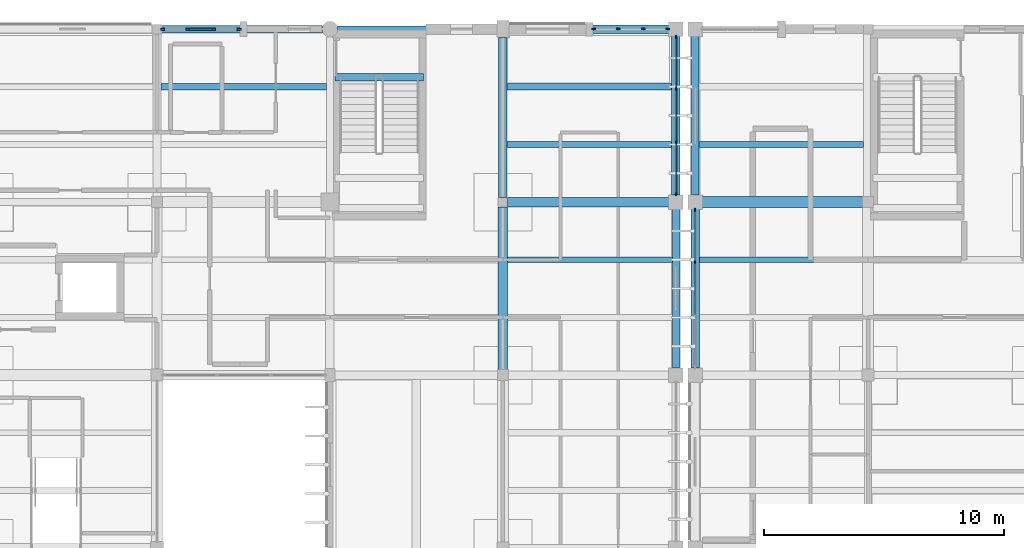
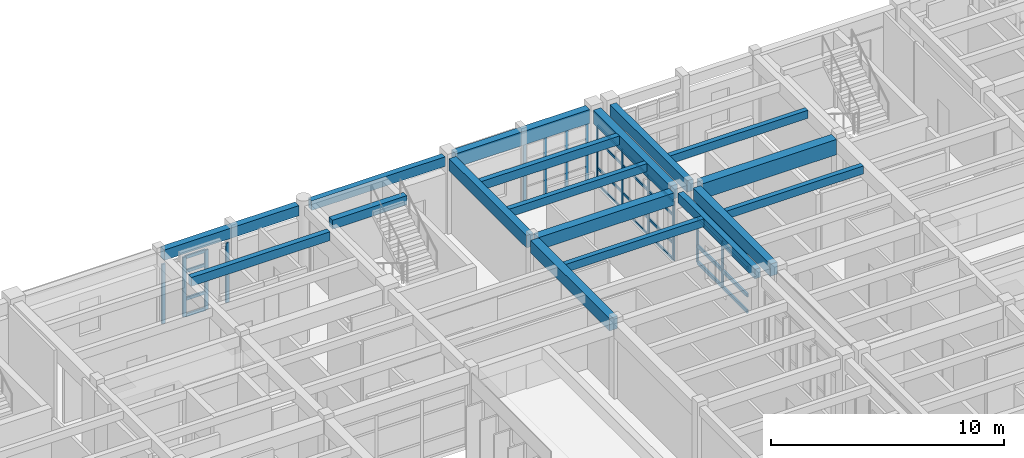
# One storey, part 34 of 100: 38 members, 18 beams, 4 elements without a shape of their own.
"""IFC4 building model written with IfcOpenShell, lengths in metres."""

from ifc_helpers import new_model, si_unit, direction, frame, origin, origin_2d, place, context, subcontext, project, spatial, rectangle, extrude, material, material_profile, profile_set, type_object, element, aggregate, save


model = new_model("IFC4")

# Units and contexts
model_context = context("Model", 3, precision=1e-05, world=origin(), true_north=direction((0.0, 1.0)))
body_context = subcontext(model_context, "Body", "Model", "MODEL_VIEW")
ifc_project = project(units=[si_unit("LENGTHUNIT", "METRE"), si_unit("AREAUNIT", "SQUARE_METRE"), si_unit("VOLUMEUNIT", "CUBIC_METRE"), si_unit("PLANEANGLEUNIT", "RADIAN"), si_unit("MASSUNIT", "GRAM", prefix="KILO")], contexts=[model_context])

# Site, building, storey
site_placement = place(None, origin())
site = spatial("IfcSite", under=ifc_project, at=site_placement, CompositionType="ELEMENT")
building_placement = place(site_placement, origin())
building = spatial("IfcBuilding", under=site, at=building_placement, Name="Steenspoor Specialist Clinic", CompositionType="ELEMENT")
storey_placement = place(building_placement, frame((0.0, 0.0, 9.0)))
storey = spatial("IfcBuildingStorey", under=building, at=storey_placement, Name="L02", CompositionType="ELEMENT", Elevation=9.0)

# Beams
ifc_material_1 = material(Name="Concrete C35/45", Category="concrete")
ifc_material_profile_1 = material_profile(ifc_material_1, rectangle(XDim=0.300048828125, YDim=0.47998046875, at=origin_2d()), Name="RC-BM-300X480")
ifc_profile_set_1 = profile_set([ifc_material_profile_1], Name="Concrete C35/45")
beam_type_1 = type_object("IfcBeamType", Name="BM-RC-300X480", PredefinedType="BEAM", material=ifc_profile_set_1)
beam_1_placement = place(storey_placement, frame((103.0, 106.35009765625, 3.9599609375), z_axis=(1.0, 0.0, 0.0), x_axis=(0.0, 1.0, 0.0)))
element("IfcBeam", 1, at=beam_1_placement, inside=storey, type_object=beam_type_1, Name="Stair Well Trimmer Beam ST-V4B L02", PredefinedType="BEAM", context=body_context, shape_type="SweptSolid", body=[
    extrude(rectangle(XDim=0.300048828125, YDim=0.47998046875, at=origin_2d()), origin(), (0.0, 0.0, 1.0), 3.699951171875),
])
ifc_material_profile_2 = material_profile(ifc_material_1, rectangle(XDim=0.35009765625, YDim=0.64990234375, at=origin_2d()), Name="RC-BM-350X650")
ifc_profile_set_2 = profile_set([ifc_material_profile_2], Name="Concrete C35/45")
beam_type_2 = type_object("IfcBeamType", Name="BM-RC-350X650", PredefinedType="BEAM", material=ifc_profile_set_2)
beam_2_placement = place(storey_placement, frame((110.0, 101.344970703125, 3.625), z_axis=(0.0, 1.0, 0.0), x_axis=(-1.0, 0.0, 0.0)))
element("IfcBeam", 2, at=beam_2_placement, inside=storey, type_object=beam_type_2, Name="BM-V4-L02-Y0730", PredefinedType="BEAM", context=body_context, shape_type="SweptSolid", body=[
    extrude(rectangle(XDim=0.35009765625, YDim=0.64990234375, at=origin_2d()), origin(), (0.0, 0.0, 1.0), 6.659912109375),
])
ifc_material_profile_3 = material_profile(ifc_material_1, rectangle(XDim=0.39990234375, YDim=0.64990234375, at=origin_2d()), Name="RC-BM-400X650")
ifc_profile_set_3 = profile_set([ifc_material_profile_3], Name="Concrete C35/45")
beam_type_3 = type_object("IfcBeamType", Name="BM-RC-400X650", PredefinedType="BEAM", material=ifc_profile_set_3)
beam_3_placement = place(storey_placement, frame((110.195068359375, 101.14990234375, 3.625), z_axis=(1.0, 0.0, 0.0), x_axis=(0.0, 1.0, 0.0)))
element("IfcBeam", 3, at=beam_3_placement, inside=storey, type_object=beam_type_3, Name="BM-V4-L02-X0675", PredefinedType="BEAM", context=body_context, shape_type="SweptSolid", body=[
    extrude(rectangle(XDim=0.39990234375, YDim=0.64990234375, at=origin_2d()), origin(), (0.0, 0.0, 1.0), 6.7099609375),
])
beam_4_placement = place(storey_placement, frame((110.0, 94.169921875, 3.625), z_axis=(0.0, 1.0, 0.0), x_axis=(-1.0, 0.0, 0.0)))
element("IfcBeam", 4, at=beam_4_placement, inside=storey, type_object=beam_type_3, Name="BM-V4-L02-Y0729", PredefinedType="BEAM", context=body_context, shape_type="SweptSolid", body=[
    extrude(rectangle(XDim=0.39990234375, YDim=0.64990234375, at=origin_2d()), origin(), (0.0, 0.0, 1.0), 6.78515625),
])
ifc_material_profile_4 = material_profile(ifc_material_1, rectangle(XDim=0.449951171875, YDim=0.800048828125, at=origin_2d()), Name="RC-BM-450X800")
ifc_profile_set_4 = profile_set([ifc_material_profile_4], Name="Concrete C35/45")
beam_type_4 = type_object("IfcBeamType", Name="BM-RC-450X800", PredefinedType="BEAM", material=ifc_profile_set_4)
beam_5_placement = place(storey_placement, frame((118.294921875, 101.14990234375, 3.550048828125), z_axis=(1.0, 0.0, 0.0), x_axis=(0.0, 1.0, 0.0)))
element("IfcBeam", 5, at=beam_5_placement, inside=storey, type_object=beam_type_4, Name="BM-V6-L02-X1620", PredefinedType="BEAM", context=body_context, shape_type="SweptSolid", body=[
    extrude(rectangle(XDim=0.449951171875, YDim=0.800048828125, at=origin_2d()), origin(), (0.0, 0.0, 1.0), 6.68505859375),
])

# Curtain wall, members
ifc_material_2 = material(Name="Thermally broken aluminium and low-emissivity glass", Category="aluminium")
curtain_wall_type_1 = type_object("IfcCurtainWallType", Name="CW-TYP-300X355", PredefinedType="USERDEFINED", material=ifc_material_2)
curtain_wall_1_placement = place(storey_placement, origin())
curtain_wall_1 = element("IfcCurtainWall", 6, at=curtain_wall_1_placement, inside=storey, type_object=curtain_wall_type_1, Name="Unitised Curtain Wall CW-V4-L02-087", ObjectType="UNITISED GLAZING", PredefinedType="USERDEFINED")
ifc_material_3 = material(Name="Thermally broken aluminium 6063-T6", Category="aluminium")
ifc_material_profile_5 = material_profile(ifc_material_3, rectangle(XDim=0.06494140625, YDim=0.14990234375, at=origin_2d()), Name="CWM-65X150")
ifc_profile_set_5 = profile_set([ifc_material_profile_5], Name="Thermally broken aluminium 6063-T6")
member_type_1 = type_object("IfcMemberType", Name="CW-MULL-65X150", PredefinedType="MULLION", material=ifc_profile_set_5)
member_1_placement = place(storey_placement, frame((117.199951171875, 108.017578125, 0.0), z_axis=(0.0, 0.0, 1.0), x_axis=(1.0, 0.0, 0.0)))
member_1 = element("IfcMember", 7, at=member_1_placement, type_object=member_type_1, Name="CW-15 mullion 1", PredefinedType="MULLION", context=body_context, shape_type="SweptSolid", body=[
    extrude(rectangle(XDim=0.06494140625, YDim=0.14990234375, at=origin_2d()), origin(), (0.0, 0.0, 1.0), 3.1298828125),
])
member_2_placement = place(storey_placement, frame((117.199951171875, 105.85009765625, 0.0), z_axis=(0.0, 0.0, 1.0), x_axis=(1.0, 0.0, 0.0)))
member_2 = element("IfcMember", 8, at=member_2_placement, type_object=member_type_1, Name="CW-15 mullion 2", PredefinedType="MULLION", context=body_context, shape_type="SweptSolid", body=[
    extrude(rectangle(XDim=0.06494140625, YDim=0.14990234375, at=origin_2d()), origin(), (0.0, 0.0, 1.0), 3.1298828125),
])
member_3_placement = place(storey_placement, frame((117.199951171875, 103.64990234375, 0.0), z_axis=(0.0, 0.0, 1.0), x_axis=(1.0, 0.0, 0.0)))
member_3 = element("IfcMember", 9, at=member_3_placement, type_object=member_type_1, Name="CW-15 mullion 3", PredefinedType="MULLION", context=body_context, shape_type="SweptSolid", body=[
    extrude(rectangle(XDim=0.06494140625, YDim=0.14990234375, at=origin_2d()), origin(), (0.0, 0.0, 1.0), 3.1298828125),
])
member_4_placement = place(storey_placement, frame((117.199951171875, 101.482421875, 0.0), z_axis=(0.0, 0.0, 1.0), x_axis=(1.0, 0.0, 0.0)))
member_4 = element("IfcMember", 10, at=member_4_placement, type_object=member_type_1, Name="CW-15 mullion 4", PredefinedType="MULLION", context=body_context, shape_type="SweptSolid", body=[
    extrude(rectangle(XDim=0.06494140625, YDim=0.14990234375, at=origin_2d()), origin(), (0.0, 0.0, 1.0), 3.1298828125),
])

curtain_wall_type_2 = type_object("IfcCurtainWallType", Name="CW-WLK-520X340", PredefinedType="USERDEFINED", material=ifc_material_2)
curtain_wall_2_placement = place(storey_placement, origin())
curtain_wall_2 = element("IfcCurtainWall", 11, at=curtain_wall_2_placement, inside=storey, type_object=curtain_wall_type_2, Name="Unitised Curtain Wall CW-V6-L02-189", ObjectType="UNITISED GLAZING", PredefinedType="USERDEFINED")
member_5_placement = place(storey_placement, frame((118.0, 98.64990234375, 0.0), z_axis=(0.0, 0.0, 1.0), x_axis=(-1.0, 0.0, 0.0)))
member_5 = element("IfcMember", 12, at=member_5_placement, type_object=member_type_1, Name="CW-21 mullion 3", PredefinedType="MULLION", context=body_context, shape_type="SweptSolid", body=[
    extrude(rectangle(XDim=0.06494140625, YDim=0.14990234375, at=origin_2d()), origin(), (0.0, 0.0, 1.0), 3.1298828125),
])
member_6_placement = place(storey_placement, frame((118.0, 100.8173828125, 0.0), z_axis=(0.0, 0.0, 1.0), x_axis=(-1.0, 0.0, 0.0)))
member_6 = element("IfcMember", 13, at=member_6_placement, type_object=member_type_1, Name="CW-21 mullion 4", PredefinedType="MULLION", context=body_context, shape_type="SweptSolid", body=[
    extrude(rectangle(XDim=0.06494140625, YDim=0.14990234375, at=origin_2d()), origin(), (0.0, 0.0, 1.0), 3.1298828125),
])

curtain_wall_type_3 = type_object("IfcCurtainWallType", Name="CW-TYP-360X355", PredefinedType="USERDEFINED", material=ifc_material_2)
curtain_wall_3_placement = place(storey_placement, origin())
curtain_wall_3 = element("IfcCurtainWall", 14, at=curtain_wall_3_placement, inside=storey, type_object=curtain_wall_type_3, Name="Unitised Curtain Wall CW-V4-L02-086", ObjectType="UNITISED GLAZING", PredefinedType="USERDEFINED")
ifc_material_profile_6 = material_profile(ifc_material_3, rectangle(XDim=0.070068359375, YDim=0.1650390625, at=origin_2d()), Name="CWM-70X165")
ifc_profile_set_6 = profile_set([ifc_material_profile_6], Name="Thermally broken aluminium 6063-T6")
member_type_2 = type_object("IfcMemberType", Name="CW-MULL-70X165", PredefinedType="MULLION", material=ifc_profile_set_6)
member_7_placement = place(storey_placement, frame((113.77490234375, 108.35009765625, 0.0), z_axis=(0.0, 0.0, 1.0), x_axis=(0.0, 1.0, 0.0)))
member_7 = element("IfcMember", 15, at=member_7_placement, type_object=member_type_2, Name="CW-14 mullion 1", PredefinedType="MULLION", context=body_context, shape_type="SweptSolid", body=[
    extrude(rectangle(XDim=0.070068359375, YDim=0.1650390625, at=origin_2d()), origin(), (0.0, 0.0, 1.0), 3.1298828125),
])
member_8_placement = place(storey_placement, frame((114.793212890625, 108.35009765625, 0.0), z_axis=(0.0, 0.0, 1.0), x_axis=(0.0, 1.0, 0.0)))
member_8 = element("IfcMember", 16, at=member_8_placement, type_object=member_type_2, Name="CW-14 mullion 2", PredefinedType="MULLION", context=body_context, shape_type="SweptSolid", body=[
    extrude(rectangle(XDim=0.070068359375, YDim=0.1650390625, at=origin_2d()), origin(), (0.0, 0.0, 1.0), 3.1298828125),
])
member_9_placement = place(storey_placement, frame((115.8466796875, 108.35009765625, 0.0), z_axis=(0.0, 0.0, 1.0), x_axis=(0.0, 1.0, 0.0)))
member_9 = element("IfcMember", 17, at=member_9_placement, type_object=member_type_2, Name="CW-14 mullion 3", PredefinedType="MULLION", context=body_context, shape_type="SweptSolid", body=[
    extrude(rectangle(XDim=0.070068359375, YDim=0.1650390625, at=origin_2d()), origin(), (0.0, 0.0, 1.0), 3.1298828125),
])
member_10_placement = place(storey_placement, frame((116.864990234375, 108.35009765625, 0.0), z_axis=(0.0, 0.0, 1.0), x_axis=(0.0, 1.0, 0.0)))
member_10 = element("IfcMember", 18, at=member_10_placement, type_object=member_type_2, Name="CW-14 mullion 4", PredefinedType="MULLION", context=body_context, shape_type="SweptSolid", body=[
    extrude(rectangle(XDim=0.070068359375, YDim=0.1650390625, at=origin_2d()), origin(), (0.0, 0.0, 1.0), 3.1298828125),
])
aggregate(curtain_wall_3, [member_7, member_8, member_9, member_10])

curtain_wall_type_4 = type_object("IfcCurtainWallType", Name="CW-TYP-420X355", PredefinedType="USERDEFINED", material=ifc_material_2)
curtain_wall_4_placement = place(storey_placement, origin())
curtain_wall_4 = element("IfcCurtainWall", 19, at=curtain_wall_4_placement, inside=storey, type_object=curtain_wall_type_4, Name="Unitised Curtain Wall CW-V4-L02-085", ObjectType="UNITISED GLAZING", PredefinedType="USERDEFINED")
ifc_material_profile_7 = material_profile(ifc_material_3, rectangle(XDim=0.080078125, YDim=0.179931640625, at=origin_2d()), Name="CWM-80X180")
ifc_profile_set_7 = profile_set([ifc_material_profile_7], Name="Thermally broken aluminium 6063-T6")
member_type_3 = type_object("IfcMemberType", Name="CW-MULL-80X180", PredefinedType="MULLION", material=ifc_profile_set_7)
member_11_placement = place(storey_placement, frame((95.840087890625, 108.35009765625, 0.0), z_axis=(0.0, 0.0, 1.0), x_axis=(0.0, 1.0, 0.0)))
member_11 = element("IfcMember", 20, at=member_11_placement, type_object=member_type_3, Name="CW-13 mullion 1", PredefinedType="MULLION", context=body_context, shape_type="SweptSolid", body=[
    extrude(rectangle(XDim=0.080078125, YDim=0.179931640625, at=origin_2d()), origin(), (0.0, 0.0, 1.0), 3.1298828125),
])
member_12_placement = place(storey_placement, frame((96.88330078125, 108.35009765625, 0.0), z_axis=(0.0, 0.0, 1.0), x_axis=(0.0, 1.0, 0.0)))
member_12 = element("IfcMember", 21, at=member_12_placement, type_object=member_type_3, Name="CW-13 mullion 2", PredefinedType="MULLION", context=body_context, shape_type="SweptSolid", body=[
    extrude(rectangle(XDim=0.080078125, YDim=0.179931640625, at=origin_2d()), origin(), (0.0, 0.0, 1.0), 3.1298828125),
])
member_13_placement = place(storey_placement, frame((97.966552734375, 108.35009765625, 0.0), z_axis=(0.0, 0.0, 1.0), x_axis=(0.0, 1.0, 0.0)))
member_13 = element("IfcMember", 22, at=member_13_placement, type_object=member_type_3, Name="CW-13 mullion 3", PredefinedType="MULLION", context=body_context, shape_type="SweptSolid", body=[
    extrude(rectangle(XDim=0.080078125, YDim=0.179931640625, at=origin_2d()), origin(), (0.0, 0.0, 1.0), 3.1298828125),
])
member_14_placement = place(storey_placement, frame((99.010009765625, 108.35009765625, 0.0), z_axis=(0.0, 0.0, 1.0), x_axis=(0.0, 1.0, 0.0)))
member_14 = element("IfcMember", 23, at=member_14_placement, type_object=member_type_3, Name="CW-13 mullion 4", PredefinedType="MULLION", context=body_context, shape_type="SweptSolid", body=[
    extrude(rectangle(XDim=0.080078125, YDim=0.179931640625, at=origin_2d()), origin(), (0.0, 0.0, 1.0), 3.1298828125),
])

# Member
ifc_material_profile_8 = material_profile(ifc_material_3, rectangle(XDim=0.06494140625, YDim=0.1298828125, at=origin_2d()), Name="CWT-65X130")
ifc_profile_set_8 = profile_set([ifc_material_profile_8], Name="Thermally broken aluminium 6063-T6")
member_type_4 = type_object("IfcMemberType", Name="CW-TRAN-65X130", PredefinedType="USERDEFINED", material=ifc_profile_set_8)
member_15_placement = place(storey_placement, frame((117.199951171875, 107.985107421875, 0.032470703125), z_axis=(0.0, -1.0, 0.0), x_axis=(1.0, 0.0, 0.0)))
member_15 = element("IfcMember", 24, at=member_15_placement, type_object=member_type_4, Name="CW-15 transom 1.1", ObjectType="TRANSOM", PredefinedType="USERDEFINED", context=body_context, shape_type="SweptSolid", body=[
    extrude(rectangle(XDim=0.06494140625, YDim=0.1298828125, at=origin_2d()), origin(), (0.0, 0.0, 1.0), 2.1025390625),
])

member_16_placement = place(storey_placement, frame((117.199951171875, 107.985107421875, 0.89990234375), z_axis=(0.0, -1.0, 0.0), x_axis=(1.0, 0.0, 0.0)))
member_16 = element("IfcMember", 25, at=member_16_placement, type_object=member_type_4, Name="CW-15 transom 1.2", ObjectType="TRANSOM", PredefinedType="USERDEFINED", context=body_context, shape_type="SweptSolid", body=[
    extrude(rectangle(XDim=0.06494140625, YDim=0.1298828125, at=origin_2d()), origin(), (0.0, 0.0, 1.0), 2.1025390625),
])

member_17_placement = place(storey_placement, frame((117.199951171875, 107.985107421875, 2.35009765625), z_axis=(0.0, -1.0, 0.0), x_axis=(1.0, 0.0, 0.0)))
member_17 = element("IfcMember", 26, at=member_17_placement, type_object=member_type_4, Name="CW-15 transom 1.3", ObjectType="TRANSOM", PredefinedType="USERDEFINED", context=body_context, shape_type="SweptSolid", body=[
    extrude(rectangle(XDim=0.06494140625, YDim=0.1298828125, at=origin_2d()), origin(), (0.0, 0.0, 1.0), 2.1025390625),
])

member_18_placement = place(storey_placement, frame((117.199951171875, 107.985107421875, 3.097412109375), z_axis=(0.0, -1.0, 0.0), x_axis=(1.0, 0.0, 0.0)))
member_18 = element("IfcMember", 27, at=member_18_placement, type_object=member_type_4, Name="CW-15 transom 1.4", ObjectType="TRANSOM", PredefinedType="USERDEFINED", context=body_context, shape_type="SweptSolid", body=[
    extrude(rectangle(XDim=0.06494140625, YDim=0.1298828125, at=origin_2d()), origin(), (0.0, 0.0, 1.0), 2.1025390625),
])

member_19_placement = place(storey_placement, frame((117.199951171875, 105.8173828125, 0.032470703125), z_axis=(0.0, -1.0, 0.0), x_axis=(1.0, 0.0, 0.0)))
member_19 = element("IfcMember", 28, at=member_19_placement, type_object=member_type_4, Name="CW-15 transom 2.1", ObjectType="TRANSOM", PredefinedType="USERDEFINED", context=body_context, shape_type="SweptSolid", body=[
    extrude(rectangle(XDim=0.06494140625, YDim=0.1298828125, at=origin_2d()), origin(), (0.0, 0.0, 1.0), 2.134765625),
])

member_20_placement = place(storey_placement, frame((117.199951171875, 105.8173828125, 0.89990234375), z_axis=(0.0, -1.0, 0.0), x_axis=(1.0, 0.0, 0.0)))
member_20 = element("IfcMember", 29, at=member_20_placement, type_object=member_type_4, Name="CW-15 transom 2.2", ObjectType="TRANSOM", PredefinedType="USERDEFINED", context=body_context, shape_type="SweptSolid", body=[
    extrude(rectangle(XDim=0.06494140625, YDim=0.1298828125, at=origin_2d()), origin(), (0.0, 0.0, 1.0), 2.134765625),
])

member_21_placement = place(storey_placement, frame((117.199951171875, 105.8173828125, 2.35009765625), z_axis=(0.0, -1.0, 0.0), x_axis=(1.0, 0.0, 0.0)))
member_21 = element("IfcMember", 30, at=member_21_placement, type_object=member_type_4, Name="CW-15 transom 2.3", ObjectType="TRANSOM", PredefinedType="USERDEFINED", context=body_context, shape_type="SweptSolid", body=[
    extrude(rectangle(XDim=0.06494140625, YDim=0.1298828125, at=origin_2d()), origin(), (0.0, 0.0, 1.0), 2.134765625),
])

member_22_placement = place(storey_placement, frame((117.199951171875, 105.8173828125, 3.097412109375), z_axis=(0.0, -1.0, 0.0), x_axis=(1.0, 0.0, 0.0)))
member_22 = element("IfcMember", 31, at=member_22_placement, type_object=member_type_4, Name="CW-15 transom 2.4", ObjectType="TRANSOM", PredefinedType="USERDEFINED", context=body_context, shape_type="SweptSolid", body=[
    extrude(rectangle(XDim=0.06494140625, YDim=0.1298828125, at=origin_2d()), origin(), (0.0, 0.0, 1.0), 2.134765625),
])

member_23_placement = place(storey_placement, frame((117.199951171875, 103.617431640625, 0.032470703125), z_axis=(0.0, -1.0, 0.0), x_axis=(1.0, 0.0, 0.0)))
member_23 = element("IfcMember", 32, at=member_23_placement, type_object=member_type_4, Name="CW-15 transom 3.1", ObjectType="TRANSOM", PredefinedType="USERDEFINED", context=body_context, shape_type="SweptSolid", body=[
    extrude(rectangle(XDim=0.06494140625, YDim=0.1298828125, at=origin_2d()), origin(), (0.0, 0.0, 1.0), 2.1025390625),
])

member_24_placement = place(storey_placement, frame((117.199951171875, 103.617431640625, 0.89990234375), z_axis=(0.0, -1.0, 0.0), x_axis=(1.0, 0.0, 0.0)))
member_24 = element("IfcMember", 33, at=member_24_placement, type_object=member_type_4, Name="CW-15 transom 3.2", ObjectType="TRANSOM", PredefinedType="USERDEFINED", context=body_context, shape_type="SweptSolid", body=[
    extrude(rectangle(XDim=0.06494140625, YDim=0.1298828125, at=origin_2d()), origin(), (0.0, 0.0, 1.0), 2.1025390625),
])

member_25_placement = place(storey_placement, frame((117.199951171875, 103.617431640625, 2.35009765625), z_axis=(0.0, -1.0, 0.0), x_axis=(1.0, 0.0, 0.0)))
member_25 = element("IfcMember", 34, at=member_25_placement, type_object=member_type_4, Name="CW-15 transom 3.3", ObjectType="TRANSOM", PredefinedType="USERDEFINED", context=body_context, shape_type="SweptSolid", body=[
    extrude(rectangle(XDim=0.06494140625, YDim=0.1298828125, at=origin_2d()), origin(), (0.0, 0.0, 1.0), 2.1025390625),
])

member_26_placement = place(storey_placement, frame((117.199951171875, 103.617431640625, 3.097412109375), z_axis=(0.0, -1.0, 0.0), x_axis=(1.0, 0.0, 0.0)))
member_26 = element("IfcMember", 35, at=member_26_placement, type_object=member_type_4, Name="CW-15 transom 3.4", ObjectType="TRANSOM", PredefinedType="USERDEFINED", context=body_context, shape_type="SweptSolid", body=[
    extrude(rectangle(XDim=0.06494140625, YDim=0.1298828125, at=origin_2d()), origin(), (0.0, 0.0, 1.0), 2.1025390625),
])

aggregate(curtain_wall_1, [member_1, member_2, member_3, member_4, member_15, member_16, member_17, member_18, member_19, member_20, member_21, member_22, member_23, member_24, member_25, member_26])

ifc_material_profile_9 = material_profile(ifc_material_3, rectangle(XDim=0.080078125, YDim=0.159912109375, at=origin_2d()), Name="CWT-80X160")
ifc_profile_set_9 = profile_set([ifc_material_profile_9], Name="Thermally broken aluminium 6063-T6")
member_type_5 = type_object("IfcMemberType", Name="CW-TRAN-80X160", PredefinedType="USERDEFINED", material=ifc_profile_set_9)
member_27_placement = place(storey_placement, frame((96.92333984375, 108.35009765625, 0.0400390625), z_axis=(1.0, 0.0, 0.0), x_axis=(0.0, 1.0, 0.0)))
member_27 = element("IfcMember", 36, at=member_27_placement, type_object=member_type_5, Name="CW-13 transom 2.1", ObjectType="TRANSOM", PredefinedType="USERDEFINED", context=body_context, shape_type="SweptSolid", body=[
    extrude(rectangle(XDim=0.080078125, YDim=0.159912109375, at=origin_2d()), origin(), (0.0, 0.0, 1.0), 1.00341796875),
])

member_28_placement = place(storey_placement, frame((96.92333984375, 108.35009765625, 0.89990234375), z_axis=(1.0, 0.0, 0.0), x_axis=(0.0, 1.0, 0.0)))
member_28 = element("IfcMember", 37, at=member_28_placement, type_object=member_type_5, Name="CW-13 transom 2.2", ObjectType="TRANSOM", PredefinedType="USERDEFINED", context=body_context, shape_type="SweptSolid", body=[
    extrude(rectangle(XDim=0.080078125, YDim=0.159912109375, at=origin_2d()), origin(), (0.0, 0.0, 1.0), 1.00341796875),
])

member_29_placement = place(storey_placement, frame((96.92333984375, 108.35009765625, 2.35009765625), z_axis=(1.0, 0.0, 0.0), x_axis=(0.0, 1.0, 0.0)))
member_29 = element("IfcMember", 38, at=member_29_placement, type_object=member_type_5, Name="CW-13 transom 2.3", ObjectType="TRANSOM", PredefinedType="USERDEFINED", context=body_context, shape_type="SweptSolid", body=[
    extrude(rectangle(XDim=0.080078125, YDim=0.159912109375, at=origin_2d()), origin(), (0.0, 0.0, 1.0), 1.00341796875),
])

member_30_placement = place(storey_placement, frame((96.92333984375, 108.35009765625, 3.090087890625), z_axis=(1.0, 0.0, 0.0), x_axis=(0.0, 1.0, 0.0)))
member_30 = element("IfcMember", 39, at=member_30_placement, type_object=member_type_5, Name="CW-13 transom 2.4", ObjectType="TRANSOM", PredefinedType="USERDEFINED", context=body_context, shape_type="SweptSolid", body=[
    extrude(rectangle(XDim=0.080078125, YDim=0.159912109375, at=origin_2d()), origin(), (0.0, 0.0, 1.0), 1.00341796875),
])

aggregate(curtain_wall_4, [member_11, member_12, member_13, member_14, member_27, member_28, member_29, member_30])

ifc_material_profile_10 = material_profile(ifc_material_3, rectangle(XDim=0.090087890625, YDim=0.175048828125, at=origin_2d()), Name="CWT-90X175")
ifc_profile_set_10 = profile_set([ifc_material_profile_10], Name="Thermally broken aluminium 6063-T6")
member_type_6 = type_object("IfcMemberType", Name="CW-TRAN-90X175", PredefinedType="USERDEFINED", material=ifc_profile_set_10)
member_31_placement = place(storey_placement, frame((118.0, 96.482421875, 0.044921875), z_axis=(0.0, 1.0, 0.0), x_axis=(-1.0, 0.0, 0.0)))
member_31 = element("IfcMember", 40, at=member_31_placement, type_object=member_type_6, Name="CW-21 transom 2.1", ObjectType="TRANSOM", PredefinedType="USERDEFINED", context=body_context, shape_type="SweptSolid", body=[
    extrude(rectangle(XDim=0.090087890625, YDim=0.175048828125, at=origin_2d()), origin(), (0.0, 0.0, 1.0), 2.135009765625),
])

member_32_placement = place(storey_placement, frame((118.0, 96.482421875, 0.89990234375), z_axis=(0.0, 1.0, 0.0), x_axis=(-1.0, 0.0, 0.0)))
member_32 = element("IfcMember", 41, at=member_32_placement, type_object=member_type_6, Name="CW-21 transom 2.2", ObjectType="TRANSOM", PredefinedType="USERDEFINED", context=body_context, shape_type="SweptSolid", body=[
    extrude(rectangle(XDim=0.090087890625, YDim=0.175048828125, at=origin_2d()), origin(), (0.0, 0.0, 1.0), 2.135009765625),
])

member_33_placement = place(storey_placement, frame((118.0, 96.482421875, 2.35009765625), z_axis=(0.0, 1.0, 0.0), x_axis=(-1.0, 0.0, 0.0)))
member_33 = element("IfcMember", 42, at=member_33_placement, type_object=member_type_6, Name="CW-21 transom 2.3", ObjectType="TRANSOM", PredefinedType="USERDEFINED", context=body_context, shape_type="SweptSolid", body=[
    extrude(rectangle(XDim=0.090087890625, YDim=0.175048828125, at=origin_2d()), origin(), (0.0, 0.0, 1.0), 2.135009765625),
])

member_34_placement = place(storey_placement, frame((118.0, 96.482421875, 3.0849609375), z_axis=(0.0, 1.0, 0.0), x_axis=(-1.0, 0.0, 0.0)))
member_34 = element("IfcMember", 43, at=member_34_placement, type_object=member_type_6, Name="CW-21 transom 2.4", ObjectType="TRANSOM", PredefinedType="USERDEFINED", context=body_context, shape_type="SweptSolid", body=[
    extrude(rectangle(XDim=0.090087890625, YDim=0.175048828125, at=origin_2d()), origin(), (0.0, 0.0, 1.0), 2.135009765625),
])

member_35_placement = place(storey_placement, frame((118.0, 98.6826171875, 0.044921875), z_axis=(0.0, 1.0, 0.0), x_axis=(-1.0, 0.0, 0.0)))
member_35 = element("IfcMember", 44, at=member_35_placement, type_object=member_type_6, Name="CW-21 transom 3.1", ObjectType="TRANSOM", PredefinedType="USERDEFINED", context=body_context, shape_type="SweptSolid", body=[
    extrude(rectangle(XDim=0.090087890625, YDim=0.175048828125, at=origin_2d()), origin(), (0.0, 0.0, 1.0), 2.102294921875),
])

member_36_placement = place(storey_placement, frame((118.0, 98.6826171875, 0.89990234375), z_axis=(0.0, 1.0, 0.0), x_axis=(-1.0, 0.0, 0.0)))
member_36 = element("IfcMember", 45, at=member_36_placement, type_object=member_type_6, Name="CW-21 transom 3.2", ObjectType="TRANSOM", PredefinedType="USERDEFINED", context=body_context, shape_type="SweptSolid", body=[
    extrude(rectangle(XDim=0.090087890625, YDim=0.175048828125, at=origin_2d()), origin(), (0.0, 0.0, 1.0), 2.102294921875),
])

member_37_placement = place(storey_placement, frame((118.0, 98.6826171875, 2.35009765625), z_axis=(0.0, 1.0, 0.0), x_axis=(-1.0, 0.0, 0.0)))
member_37 = element("IfcMember", 46, at=member_37_placement, type_object=member_type_6, Name="CW-21 transom 3.3", ObjectType="TRANSOM", PredefinedType="USERDEFINED", context=body_context, shape_type="SweptSolid", body=[
    extrude(rectangle(XDim=0.090087890625, YDim=0.175048828125, at=origin_2d()), origin(), (0.0, 0.0, 1.0), 2.102294921875),
])

member_38_placement = place(storey_placement, frame((118.0, 98.6826171875, 3.0849609375), z_axis=(0.0, 1.0, 0.0), x_axis=(-1.0, 0.0, 0.0)))
member_38 = element("IfcMember", 47, at=member_38_placement, type_object=member_type_6, Name="CW-21 transom 3.4", ObjectType="TRANSOM", PredefinedType="USERDEFINED", context=body_context, shape_type="SweptSolid", body=[
    extrude(rectangle(XDim=0.090087890625, YDim=0.175048828125, at=origin_2d()), origin(), (0.0, 0.0, 1.0), 2.102294921875),
])

aggregate(curtain_wall_2, [member_5, member_6, member_31, member_32, member_33, member_34, member_35, member_36, member_37, member_38])

# Beams
ifc_material_profile_11 = material_profile(ifc_material_1, rectangle(XDim=0.239990234375, YDim=0.419921875, at=origin_2d()), Name="RC-JT-240X420")
ifc_profile_set_11 = profile_set([ifc_material_profile_11], Name="Concrete C35/45")
beam_type_5 = type_object("IfcBeamType", Name="JT-RC-240X420", PredefinedType="JOIST", material=ifc_profile_set_11)
beam_6_placement = place(storey_placement, frame((110.195068359375, 98.75, 3.739990234375), z_axis=(1.0, 0.0, 0.0), x_axis=(0.0, 1.0, 0.0)))
element("IfcBeam", 48, at=beam_6_placement, inside=storey, type_object=beam_type_5, Name="JT-V4-L02-0806", PredefinedType="JOIST", context=body_context, shape_type="SweptSolid", body=[
    extrude(rectangle(XDim=0.239990234375, YDim=0.419921875, at=origin_2d()), origin(), (0.0, 0.0, 1.0), 6.869873046875),
])
beam_7_placement = place(storey_placement, frame((110.169921875, 103.550048828125, 3.739990234375), z_axis=(1.0, 0.0, 0.0), x_axis=(0.0, 1.0, 0.0)))
element("IfcBeam", 49, at=beam_7_placement, inside=storey, type_object=beam_type_5, Name="JT-V4-L02-0807", PredefinedType="JOIST", context=body_context, shape_type="SweptSolid", body=[
    extrude(rectangle(XDim=0.239990234375, YDim=0.419921875, at=origin_2d()), origin(), (0.0, 0.0, 1.0), 6.85498046875),
])
beam_8_placement = place(storey_placement, frame((118.175048828125, 98.75, 3.739990234375), z_axis=(1.0, 0.0, 0.0), x_axis=(0.0, 1.0, 0.0)))
element("IfcBeam", 50, at=beam_8_placement, inside=storey, type_object=beam_type_5, Name="JT-V6-L02-1666", PredefinedType="JOIST", context=body_context, shape_type="SweptSolid", body=[
    extrude(rectangle(XDim=0.239990234375, YDim=0.419921875, at=origin_2d()), origin(), (0.0, 0.0, 1.0), 6.804931640625),
])
beam_9_placement = place(storey_placement, frame((118.155029296875, 103.550048828125, 3.739990234375), z_axis=(1.0, 0.0, 0.0), x_axis=(0.0, 1.0, 0.0)))
element("IfcBeam", 51, at=beam_9_placement, inside=storey, type_object=beam_type_5, Name="JT-V6-L02-1667", PredefinedType="JOIST", context=body_context, shape_type="SweptSolid", body=[
    extrude(rectangle(XDim=0.239990234375, YDim=0.419921875, at=origin_2d()), origin(), (0.0, 0.0, 1.0), 6.849853515625),
])
ifc_material_profile_12 = material_profile(ifc_material_1, rectangle(XDim=0.260009765625, YDim=0.4599609375, at=origin_2d()), Name="RC-JT-260X460")
ifc_profile_set_12 = profile_set([ifc_material_profile_12], Name="Concrete C35/45")
beam_type_6 = type_object("IfcBeamType", Name="JT-RC-260X460", PredefinedType="JOIST", material=ifc_profile_set_12)
beam_10_placement = place(storey_placement, frame((95.77001953125, 105.949951171875, 3.719970703125), z_axis=(1.0, 0.0, 0.0), x_axis=(0.0, 1.0, 0.0)))
element("IfcBeam", 52, at=beam_10_placement, inside=storey, type_object=beam_type_6, Name="JT-V4-L02-0789", PredefinedType="JOIST", context=body_context, shape_type="SweptSolid", body=[
    extrude(rectangle(XDim=0.260009765625, YDim=0.4599609375, at=origin_2d()), origin(), (0.0, 0.0, 1.0), 6.885009765625),
])
beam_11_placement = place(storey_placement, frame((110.169921875, 105.949951171875, 3.719970703125), z_axis=(1.0, 0.0, 0.0), x_axis=(0.0, 1.0, 0.0)))
element("IfcBeam", 53, at=beam_11_placement, inside=storey, type_object=beam_type_6, Name="JT-V4-L02-0808", PredefinedType="JOIST", context=body_context, shape_type="SweptSolid", body=[
    extrude(rectangle(XDim=0.260009765625, YDim=0.4599609375, at=origin_2d()), origin(), (0.0, 0.0, 1.0), 6.85498046875),
])
ifc_material_profile_13 = material_profile(ifc_material_1, rectangle(XDim=0.280029296875, YDim=0.5, at=origin_2d()), Name="RC-SP-280X500")
ifc_profile_set_13 = profile_set([ifc_material_profile_13], Name="Concrete C35/45")
beam_type_7 = type_object("IfcBeamType", Name="SP-RC-280X500", PredefinedType="SPANDREL", material=ifc_profile_set_13)
beam_12_placement = place(storey_placement, frame((103.1201171875, 108.35009765625, 3.699951171875), z_axis=(1.0, 0.0, 0.0), x_axis=(0.0, 1.0, 0.0)))
element("IfcBeam", 54, at=beam_12_placement, inside=storey, type_object=beam_type_7, Name="BM-V4-L02-X0683", PredefinedType="SPANDREL", context=body_context, shape_type="SweptSolid", body=[
    extrude(rectangle(XDim=0.280029296875, YDim=0.5, at=origin_2d()), origin(), (0.0, 0.0, 1.0), 6.634765625),
])
beam_13_placement = place(storey_placement, frame((117.199951171875, 94.2451171875, 3.699951171875), z_axis=(0.0, 1.0, 0.0), x_axis=(-1.0, 0.0, 0.0)))
element("IfcBeam", 55, at=beam_13_placement, inside=storey, type_object=beam_type_7, Name="BM-V4-L02-Y0735", PredefinedType="SPANDREL", context=body_context, shape_type="SweptSolid", body=[
    extrude(rectangle(XDim=0.280029296875, YDim=0.5, at=origin_2d()), origin(), (0.0, 0.0, 1.0), 6.60986328125),
])
ifc_material_profile_14 = material_profile(ifc_material_1, rectangle(XDim=0.320068359375, YDim=0.5400390625, at=origin_2d()), Name="RC-SP-320X540")
ifc_profile_set_14 = profile_set([ifc_material_profile_14], Name="Concrete C35/45")
beam_type_8 = type_object("IfcBeamType", Name="SP-RC-320X540", PredefinedType="SPANDREL", material=ifc_profile_set_14)
beam_14_placement = place(storey_placement, frame((95.794921875, 108.35009765625, 3.679931640625), z_axis=(1.0, 0.0, 0.0), x_axis=(0.0, 1.0, 0.0)))
element("IfcBeam", 56, at=beam_14_placement, inside=storey, type_object=beam_type_8, Name="BM-V4-L02-X0682", PredefinedType="SPANDREL", context=body_context, shape_type="SweptSolid", body=[
    extrude(rectangle(XDim=0.320068359375, YDim=0.5400390625, at=origin_2d()), origin(), (0.0, 0.0, 1.0), 6.68505859375),
])
ifc_material_profile_15 = material_profile(ifc_material_1, rectangle(XDim=0.320068359375, YDim=0.60009765625, at=origin_2d()), Name="RC-SP-320X600")
ifc_profile_set_15 = profile_set([ifc_material_profile_15], Name="Concrete C35/45")
beam_type_9 = type_object("IfcBeamType", Name="SP-RC-320X600", PredefinedType="SPANDREL", material=ifc_profile_set_15)
beam_15_placement = place(storey_placement, frame((118.0, 101.445068359375, 3.64990234375), z_axis=(0.0, 1.0, 0.0), x_axis=(-1.0, 0.0, 0.0)))
element("IfcBeam", 57, at=beam_15_placement, inside=storey, type_object=beam_type_9, Name="BM-V6-L02-Y1632", PredefinedType="SPANDREL", context=body_context, shape_type="SweptSolid", body=[
    extrude(rectangle(XDim=0.320068359375, YDim=0.60009765625, at=origin_2d()), origin(), (0.0, 0.0, 1.0), 6.60986328125),
])
ifc_material_profile_16 = material_profile(ifc_material_1, rectangle(XDim=0.360107421875, YDim=0.639892578125, at=origin_2d()), Name="RC-SP-360X640")
ifc_profile_set_16 = profile_set([ifc_material_profile_16], Name="Concrete C35/45")
beam_type_10 = type_object("IfcBeamType", Name="SP-RC-360X640", PredefinedType="SPANDREL", material=ifc_profile_set_16)
beam_16_placement = place(storey_placement, frame((118.0, 94.2451171875, 3.6298828125), z_axis=(0.0, 1.0, 0.0), x_axis=(-1.0, 0.0, 0.0)))
element("IfcBeam", 58, at=beam_16_placement, inside=storey, type_object=beam_type_10, Name="BM-V6-L02-Y1631", PredefinedType="SPANDREL", context=body_context, shape_type="SweptSolid", body=[
    extrude(rectangle(XDim=0.360107421875, YDim=0.639892578125, at=origin_2d()), origin(), (0.0, 0.0, 1.0), 6.60986328125),
])
ifc_material_profile_17 = material_profile(ifc_material_1, rectangle(XDim=0.360107421875, YDim=0.719970703125, at=origin_2d()), Name="RC-SP-360X720")
ifc_profile_set_17 = profile_set([ifc_material_profile_17], Name="Concrete C35/45")
beam_type_11 = type_object("IfcBeamType", Name="SP-RC-360X720", PredefinedType="SPANDREL", material=ifc_profile_set_17)
beam_17_placement = place(storey_placement, frame((110.2451171875, 108.35009765625, 3.590087890625), z_axis=(1.0, 0.0, 0.0), x_axis=(0.0, 1.0, 0.0)))
element("IfcBeam", 59, at=beam_17_placement, inside=storey, type_object=beam_type_11, Name="BM-V4-L02-X0684", PredefinedType="SPANDREL", context=body_context, shape_type="SweptSolid", body=[
    extrude(rectangle(XDim=0.360107421875, YDim=0.719970703125, at=origin_2d()), origin(), (0.0, 0.0, 1.0), 6.659912109375),
])
beam_18_placement = place(storey_placement, frame((117.199951171875, 101.445068359375, 3.590087890625), z_axis=(0.0, 1.0, 0.0), x_axis=(-1.0, 0.0, 0.0)))
element("IfcBeam", 60, at=beam_18_placement, inside=storey, type_object=beam_type_11, Name="BM-V4-L02-Y0736", PredefinedType="SPANDREL", context=body_context, shape_type="SweptSolid", body=[
    extrude(rectangle(XDim=0.360107421875, YDim=0.719970703125, at=origin_2d()), origin(), (0.0, 0.0, 1.0), 6.60986328125),
])

save(model, "model.ifc")
